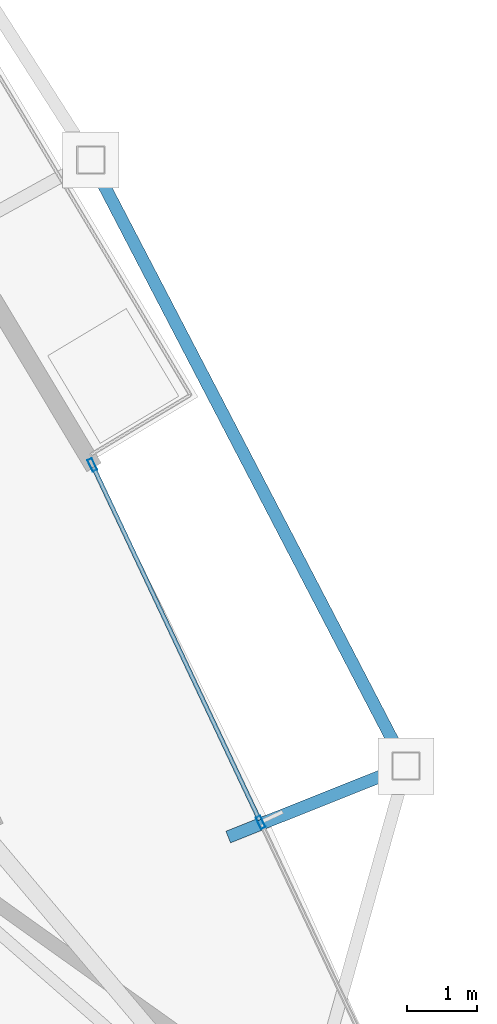
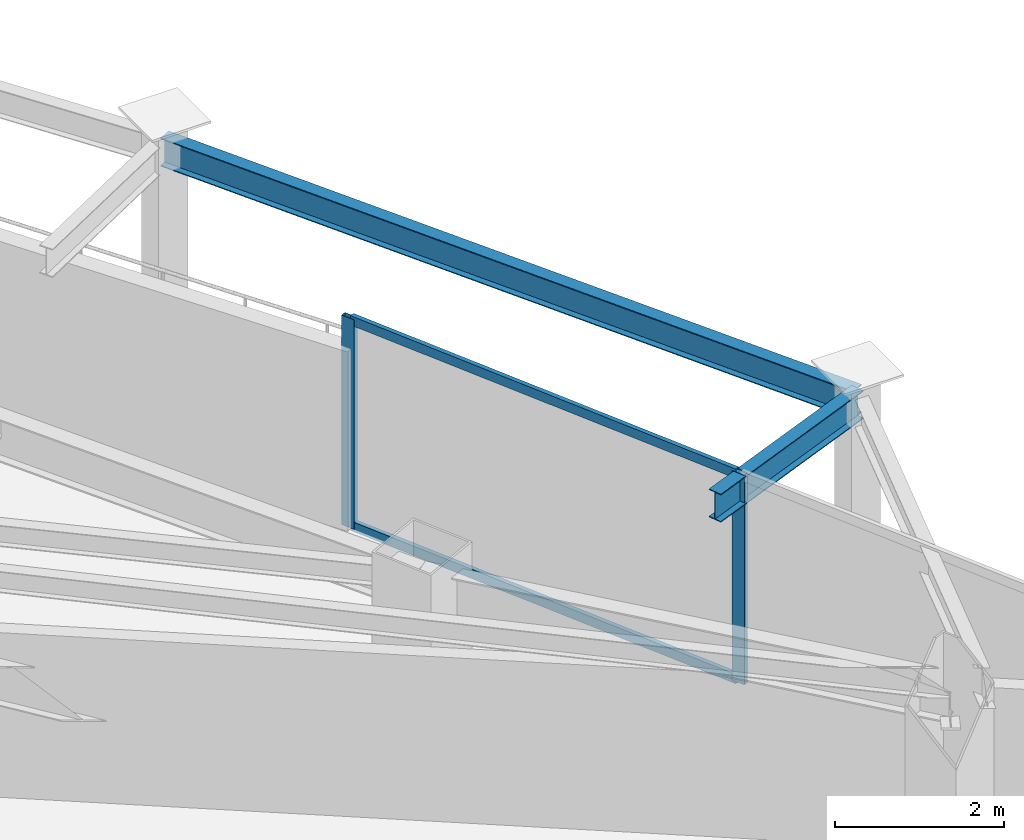
# One storey, part 16 of 30: 4 members, 2 beams, 1 element without a shape of its own.
"""IFC4 building model written with IfcOpenShell, lengths in metres."""

from ifc_helpers import new_model, si_unit, direction, frame, origin, origin_2d, place, context, subcontext, project, spatial, hollow_rectangle, i_section, extrude, material, layer, layer_set, material_profile, profile_set, type_object, element, aggregate, save


model = new_model("IFC4")

# Units and contexts
model_context = context("Model", 3, precision=1e-05, world=origin(), true_north=direction((0.0, 1.0)))
body_context = subcontext(model_context, "Body", "Model", "MODEL_VIEW")
ifc_project = project(units=[si_unit("LENGTHUNIT", "METRE"), si_unit("AREAUNIT", "SQUARE_METRE"), si_unit("VOLUMEUNIT", "CUBIC_METRE"), si_unit("PLANEANGLEUNIT", "RADIAN"), si_unit("MASSUNIT", "GRAM", prefix="KILO")], contexts=[model_context])

# Site, building, storey
site_placement = place(None, origin())
site = spatial("IfcSite", under=ifc_project, at=site_placement, CompositionType="ELEMENT")
building_placement = place(site_placement, origin())
building = spatial("IfcBuilding", under=site, at=building_placement, Name="Orvanel Arch Residences", CompositionType="ELEMENT")
storey_placement = place(building_placement, frame((0.0, 0.0, 143.0)))
storey = spatial("IfcBuildingStorey", under=building, at=storey_placement, Name="L40", CompositionType="ELEMENT", Elevation=143.0)

# Curtain wall, members
ifc_material_1 = material(Name="Bronze-anodised aluminium AA6063-T6", Category="aluminium")
ifc_layer = layer(ifc_material_1, 0.179931640625)
ifc_layer_set = layer_set([ifc_layer], Name="Bronze-anodised aluminium AA6063-T6")
curtain_wall_type = type_object("IfcCurtainWallType", Name="CW3-MID-SYS", PredefinedType="NOTDEFINED", material=ifc_layer_set)
curtain_wall_placement = place(storey_placement, origin())
curtain_wall = element("IfcCurtainWall", 1, at=curtain_wall_placement, inside=storey, type_object=curtain_wall_type, Name="L40 CW3-MID-SYS Unitised Curtain Wall", PredefinedType="NOTDEFINED")
ifc_material_profile_1 = material_profile(ifc_material_1, hollow_rectangle(XDim=0.070068359375, YDim=0.179931640625, WallThickness=0.00439453125, at=origin_2d()), Name="ALU180x70x4.5")
ifc_profile_set_1 = profile_set([ifc_material_profile_1], Name="Bronze-anodised aluminium AA6063-T6")
member_type_1 = type_object("IfcMemberType", Name="MUL-180x70", PredefinedType="MULLION", material=ifc_profile_set_1)
member_1_placement = place(storey_placement, frame((53.85498046875, 19.450439453125, 0.0), z_axis=(0.0, 0.0, 1.0), x_axis=(-0.904718317151, -0.426010289326, 0.0)))
member_1 = element("IfcMember", 2, at=member_1_placement, type_object=member_type_1, Name="CW-S3 mullion 2", PredefinedType="MULLION", context=body_context, shape_type="SweptSolid", body=[
    extrude(hollow_rectangle(XDim=0.070068359375, YDim=0.179931640625, WallThickness=0.00439453125, at=origin_2d()), origin(), (0.0, 0.0, 1.0), 3.02001953125),
])
member_2_placement = place(storey_placement, frame((51.46484375, 24.5263671875, 0.0), z_axis=(0.0, 0.0, 1.0), x_axis=(-0.904718317151, -0.426010289326, 0.0)))
member_2 = element("IfcMember", 3, at=member_2_placement, type_object=member_type_1, Name="CW-S3 mullion 3", PredefinedType="MULLION", context=body_context, shape_type="SweptSolid", body=[
    extrude(hollow_rectangle(XDim=0.070068359375, YDim=0.179931640625, WallThickness=0.00439453125, at=origin_2d()), origin(), (0.0, 0.0, 1.0), 3.02001953125),
])

# Beams
ifc_material_2 = material(Name="Structural steel AS/NZS 3679.1 Grade 300 (300 MPa)", Category="steel")
ifc_material_profile_2 = material_profile(ifc_material_2, i_section(OverallWidth=0.177978515625, OverallDepth=0.406005859375, WebThickness=0.0078125, FlangeThickness=0.0126953125, at=origin_2d()), Name="410UB59.7")
ifc_profile_set_2 = profile_set([ifc_material_profile_2], Name="Structural steel AS/NZS 3679.1 Grade 300 (300 MPa)")
beam_type = type_object("IfcBeamType", Name="OB-410UB-EXT", PredefinedType="SPANDREL", material=ifc_profile_set_2)
beam_1_placement = place(storey_placement, frame((53.39599609375, 19.240966796875, 2.81689453125), z_axis=(0.928841685678, 0.370476885846, 0.0), x_axis=(-0.370476885846, 0.928841685678, 0.0)))
element("IfcBeam", 4, at=beam_1_placement, inside=storey, type_object=beam_type, Name="L40 Outer Frame Radial Tie Beam 09", PredefinedType="SPANDREL", context=body_context, shape_type="SweptSolid", body=[
    extrude(i_section(OverallWidth=0.177978515625, OverallDepth=0.406005859375, WebThickness=0.0078125, FlangeThickness=0.0126953125, at=origin_2d()), origin(), (0.0, 0.0, 1.0), 2.71826171875),
])
beam_2_placement = place(storey_placement, frame((55.9208984375, 20.248046875, 2.81689453125), z_axis=(-0.461408987411, 0.88718754857, 0.0), x_axis=(-0.88718754857, -0.461408987411, 0.0)))
element("IfcBeam", 5, at=beam_2_placement, inside=storey, type_object=beam_type, Name="L40 Outer Perimeter Floor Ring Beam 09", PredefinedType="SPANDREL", context=body_context, shape_type="SweptSolid", body=[
    extrude(i_section(OverallWidth=0.177978515625, OverallDepth=0.406005859375, WebThickness=0.0078125, FlangeThickness=0.0126953125, at=origin_2d()), origin(), (0.0, 0.0, 1.0), 9.702392578125),
])

# Member
ifc_material_profile_3 = material_profile(ifc_material_1, hollow_rectangle(XDim=0.06005859375, YDim=0.135009765625, WallThickness=0.00390625, at=origin_2d()), Name="ALU135x60x4")
ifc_profile_set_3 = profile_set([ifc_material_profile_3], Name="Bronze-anodised aluminium AA6063-T6")
member_type_2 = type_object("IfcMemberType", Name="TRN-135x60", PredefinedType="USERDEFINED", material=ifc_profile_set_3)
member_3_placement = place(storey_placement, frame((53.840087890625, 19.482177734375, 0.030029296875), z_axis=(-0.426026213719, 0.904710818563, 0.0), x_axis=(-0.904710818563, -0.426026213719, 0.0)))
member_3 = element("IfcMember", 6, at=member_3_placement, type_object=member_type_2, Name="CW-S3 transom 2.1", ObjectType="TRANSOM", PredefinedType="USERDEFINED", context=body_context, shape_type="SweptSolid", body=[
    extrude(hollow_rectangle(XDim=0.06005859375, YDim=0.135009765625, WallThickness=0.00390625, at=origin_2d()), origin(), (0.0, 0.0, 1.0), 5.540283203125),
])

member_4_placement = place(storey_placement, frame((53.840087890625, 19.482177734375, 2.989990234375), z_axis=(-0.426026213719, 0.904710818563, 0.0), x_axis=(-0.904710818563, -0.426026213719, 0.0)))
member_4 = element("IfcMember", 7, at=member_4_placement, type_object=member_type_2, Name="CW-S3 transom 2.2", ObjectType="TRANSOM", PredefinedType="USERDEFINED", context=body_context, shape_type="SweptSolid", body=[
    extrude(hollow_rectangle(XDim=0.06005859375, YDim=0.135009765625, WallThickness=0.00390625, at=origin_2d()), origin(), (0.0, 0.0, 1.0), 5.540283203125),
])

aggregate(curtain_wall, [member_1, member_2, member_3, member_4])

save(model, "model.ifc")
